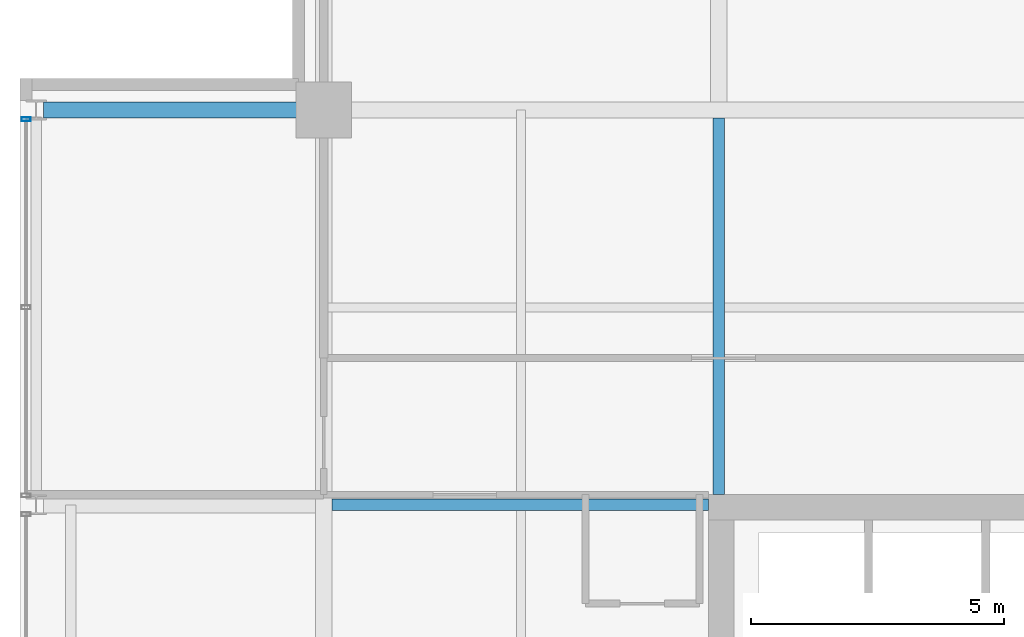
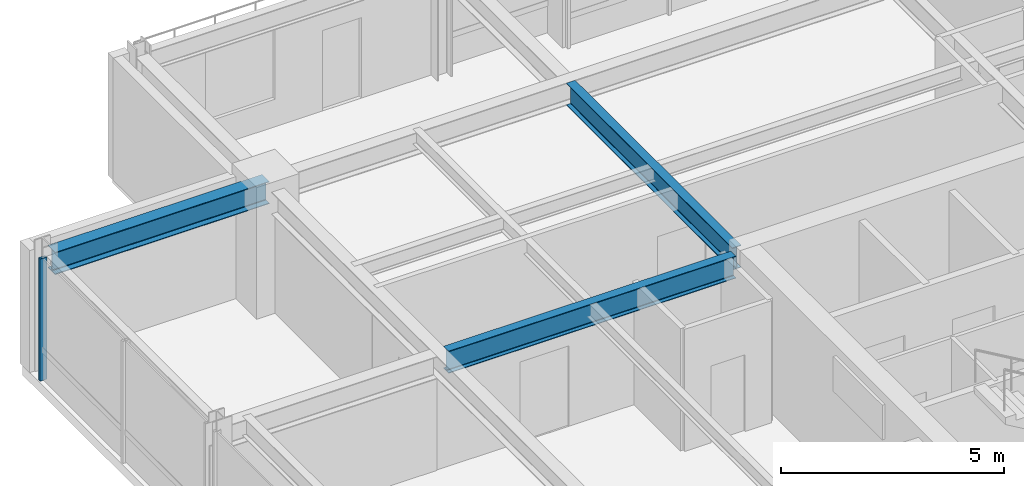
# One storey, part 18 of 30: 3 beams, 1 member, 1 element without a shape of its own.
"""IFC4 building model written with IfcOpenShell, lengths in metres."""

from ifc_helpers import new_model, si_unit, direction, frame, origin, origin_2d, place, context, subcontext, project, spatial, hollow_rectangle, i_section, extrude, material, layer, layer_set, material_profile, profile_set, type_object, element, aggregate, save


model = new_model("IFC4")

# Units and contexts
model_context = context("Model", 3, precision=1e-05, world=origin(), true_north=direction((0.0, 1.0)))
body_context = subcontext(model_context, "Body", "Model", "MODEL_VIEW")
ifc_project = project(units=[si_unit("LENGTHUNIT", "METRE"), si_unit("AREAUNIT", "SQUARE_METRE"), si_unit("VOLUMEUNIT", "CUBIC_METRE"), si_unit("PLANEANGLEUNIT", "RADIAN"), si_unit("MASSUNIT", "GRAM", prefix="KILO")], contexts=[model_context])

# Site, building, storey
site_placement = place(None, origin())
site = spatial("IfcSite", under=ifc_project, at=site_placement, CompositionType="ELEMENT")
building_placement = place(site_placement, origin())
building = spatial("IfcBuilding", under=site, at=building_placement, Name="Drelvath Grand Hotel", CompositionType="ELEMENT")
storey_placement = place(building_placement, frame((0.0, 0.0, 215.89990234375)))
storey = spatial("IfcBuildingStorey", under=building, at=storey_placement, Name="L56", CompositionType="ELEMENT", Elevation=215.89990234375)

# Curtain wall, member
ifc_material_1 = material(Name="Platinum-Mist Anodised Aluminium Frame", Category="aluminium")
ifc_layer = layer(ifc_material_1, 0.199951171875)
ifc_layer_set = layer_set([ifc_layer], Name="Platinum-Mist Anodised Aluminium Frame")
curtain_wall_type = type_object("IfcCurtainWallType", Name="Stick Curtain Wall CW-05 Platinum Mist High-Rise", PredefinedType="NOTDEFINED", material=ifc_layer_set)
curtain_wall_placement = place(storey_placement, origin())
curtain_wall = element("IfcCurtainWall", 1, at=curtain_wall_placement, inside=storey, type_object=curtain_wall_type, Name="L56 CW-05 Curtain Wall CW05-L56-WN2", PredefinedType="NOTDEFINED")
ifc_material_profile_1 = material_profile(ifc_material_1, hollow_rectangle(XDim=0.074951171875, YDim=0.179931640625, WallThickness=0.0048828125, at=origin_2d()), Name="HSS180X75X5")
ifc_profile_set_1 = profile_set([ifc_material_profile_1], Name="Platinum-Mist Anodised Aluminium Frame")
member_type = type_object("IfcMemberType", Name="Curtain Wall Vertical Mullion CW-05 HSS180X75X5", PredefinedType="MULLION", material=ifc_profile_set_1)
member_placement = place(storey_placement, frame((-22.080078125, 43.0146484375, 0.0), z_axis=(0.0, 0.0, 1.0), x_axis=(0.0, 1.0, 0.0)))
member = element("IfcMember", 2, at=member_placement, type_object=member_type, Name="CW05-L56-WN2 Mullion 3", PredefinedType="MULLION", context=body_context, shape_type="SweptSolid", body=[
    extrude(hollow_rectangle(XDim=0.074951171875, YDim=0.179931640625, WallThickness=0.0048828125, at=origin_2d()), origin(), (0.0, 0.0, 1.0), 3.340087890625),
])
aggregate(curtain_wall, [member])

# Beams
ifc_material_2 = material(Name="Steel ASTM A992 Gr 50", Category="steel")
ifc_material_profile_2 = material_profile(ifc_material_2, i_section(OverallWidth=0.323974609375, OverallDepth=0.611083984375, WebThickness=0.0126953125, FlangeThickness=0.01904296875, FilletRadius=0.02197265625, at=origin_2d()), Name="W24X104")
ifc_profile_set_2 = profile_set([ifc_material_profile_2], Name="Steel ASTM A992 Gr 50")
beam_type_1 = type_object("IfcBeamType", Name="Primary Floor Girder W24X104", PredefinedType="BEAM", material=ifc_profile_set_2)
beam_placement = place(storey_placement, frame((-21.739990234375, 43.199951171875, 3.034423828125), z_axis=(1.0, 0.0, 0.0), x_axis=(0.0, 1.0, 0.0)))
element("IfcBeam", 3, at=beam_placement, inside=storey, type_object=beam_type_1, Name="L56 West Grid Girder G", PredefinedType="BEAM", context=body_context, shape_type="SweptSolid", body=[
    extrude(i_section(OverallWidth=0.323974609375, OverallDepth=0.611083984375, WebThickness=0.0126953125, FlangeThickness=0.01904296875, FilletRadius=0.02197265625, at=origin_2d()), origin(), (0.0, 0.0, 1.0), 5.5400390625),
])
ifc_material_profile_3 = material_profile(ifc_material_2, i_section(OverallWidth=0.228271484375, OverallDepth=0.607666015625, WebThickness=0.01123046875, FlangeThickness=0.017333984375, FilletRadius=0.02001953125, at=origin_2d()), Name="W24X76")
ifc_profile_set_3 = profile_set([ifc_material_profile_3], Name="Steel ASTM A992 Gr 50")
beam_type_2 = type_object("IfcBeamType", Name="Primary Floor Girder W24X76", PredefinedType="BEAM", material=ifc_profile_set_3)
for number, where, z_axis, x_axis, name in (
    (4, (-16.0380859375, 35.39990234375, 3.036376953125), (1.0, 0.0, 0.0), (0.0, 1.0, 0.0), "L56 West Core Tie F"),
    (5, (-8.39990234375, 35.60009765625, 3.036376953125), (0.0, 1.0, 0.0), (-1.0, 0.0, 0.0), "L56 North Core Tie 4"),
):
    element("IfcBeam", number, at=place(storey_placement, frame(where, z_axis=z_axis, x_axis=x_axis)), inside=storey, type_object=beam_type_2, Name=name, PredefinedType="BEAM", context=body_context, shape_type="SweptSolid", body=[
        extrude(i_section(OverallWidth=0.228271484375, OverallDepth=0.607666015625, WebThickness=0.01123046875, FlangeThickness=0.017333984375, FilletRadius=0.02001953125, at=origin_2d()), origin(), (0.0, 0.0, 1.0), 7.43798828125),
    ])

save(model, "model.ifc")
